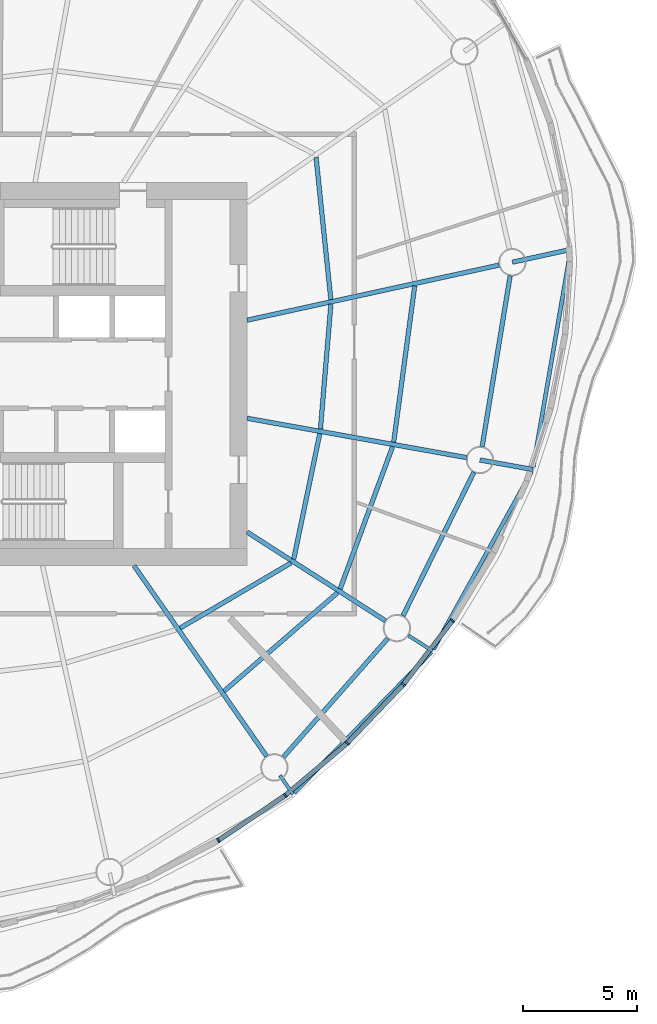
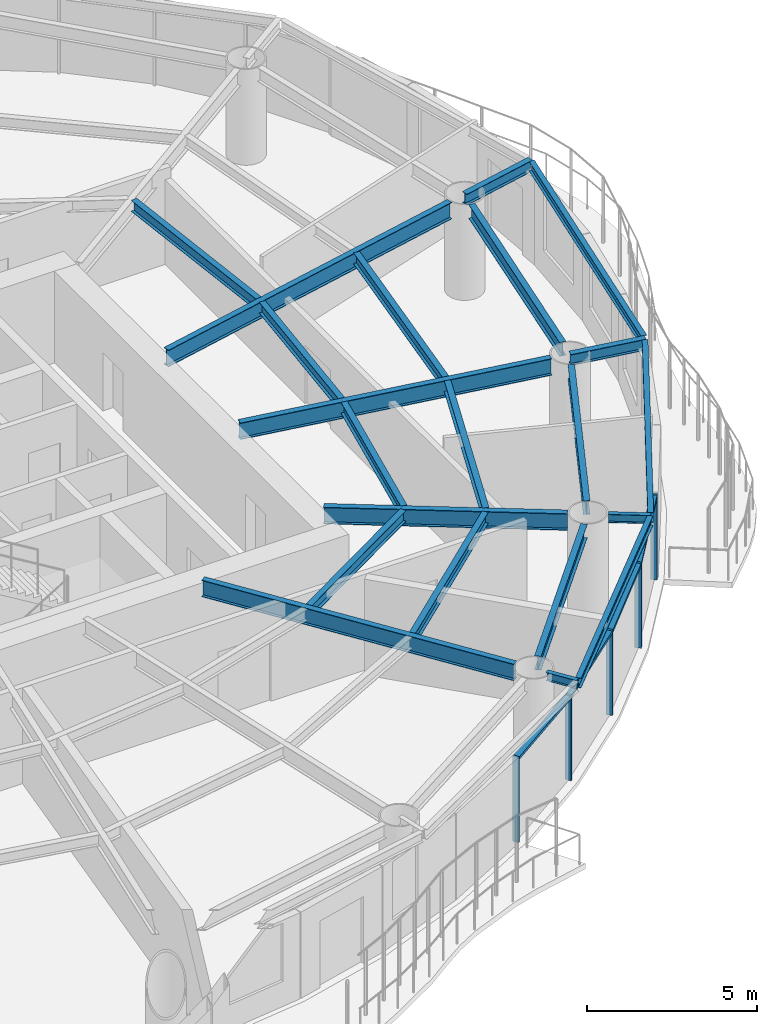
# One storey, part 4 of 14: 21 beams, 9 members, 4 elements without a shape of their own.
"""IFC4 building model written with IfcOpenShell, lengths in metres."""

from ifc_helpers import new_model, si_unit, direction, frame, origin, origin_2d, place, context, subcontext, project, spatial, rectangle, i_section, extrude, material, material_profile, profile_set, type_object, element, aggregate, save


model = new_model("IFC4")

# Units and contexts
model_context = context("Model", 3, precision=1e-05, world=origin(), true_north=direction((0.0, 1.0)))
body_context = subcontext(model_context, "Body", "Model", "MODEL_VIEW")
ifc_project = project(units=[si_unit("LENGTHUNIT", "METRE"), si_unit("AREAUNIT", "SQUARE_METRE"), si_unit("VOLUMEUNIT", "CUBIC_METRE"), si_unit("PLANEANGLEUNIT", "RADIAN"), si_unit("MASSUNIT", "GRAM", prefix="KILO")], contexts=[model_context])

# Site, building, storey
site_placement = place(None, origin())
site = spatial("IfcSite", under=ifc_project, at=site_placement, CompositionType="ELEMENT")
building_placement = place(site_placement, origin())
building = spatial("IfcBuilding", under=site, at=building_placement, Name="Vermilion Reach Broadcast Tower", CompositionType="ELEMENT")
storey_placement = place(building_placement, frame((0.0, 0.0, 206.5)))
storey = spatial("IfcBuildingStorey", under=building, at=storey_placement, Name="L50", CompositionType="ELEMENT", Elevation=206.5)

# Beams
ifc_material_1 = material(Name="Steel S355J2", Category="steel")
ifc_material_profile_1 = material_profile(ifc_material_1, i_section(OverallWidth=0.175048828125, OverallDepth=0.35009765625, WebThickness=0.007080078125, FlangeThickness=0.010986328125, at=origin_2d()), Name="S355J2 HN 350x175x7x11")
ifc_profile_set_1 = profile_set([ifc_material_profile_1], Name="Steel S355J2")
beam_type_1 = type_object("IfcBeamType", Name="EB4 HN 350x175x7x11", PredefinedType="BEAM", material=ifc_profile_set_1)
beam_1_placement = place(storey_placement, frame((6.86181640625, -18.353759765625, 3.27490234375), z_axis=(0.697871815237, 0.716222681502, 0.0), x_axis=(-0.716222681502, 0.697871815237, 0.0)))
element("IfcBeam", 1, at=beam_1_placement, inside=storey, type_object=beam_type_1, Name="Edge beam EB4-12", PredefinedType="BEAM", context=body_context, shape_type="SweptSolid", body=[
    extrude(i_section(OverallWidth=0.175048828125, OverallDepth=0.35009765625, WebThickness=0.007080078125, FlangeThickness=0.010986328125, at=origin_2d()), origin(), (0.0, 0.0, 1.0), 8.607666015625),
])
beam_2_placement = place(storey_placement, frame((12.95849609375, -12.068115234375, 3.27490234375), z_axis=(0.483728119844, 0.875218319091, 0.0), x_axis=(-0.875218319091, 0.483728119844, 0.0)))
element("IfcBeam", 2, at=beam_2_placement, inside=storey, type_object=beam_type_1, Name="Edge beam EB4-13", PredefinedType="BEAM", context=body_context, shape_type="SweptSolid", body=[
    extrude(i_section(OverallWidth=0.175048828125, OverallDepth=0.35009765625, WebThickness=0.007080078125, FlangeThickness=0.010986328125, at=origin_2d()), origin(), (0.0, 0.0, 1.0), 8.904052734375),
])
beam_3_placement = place(storey_placement, frame((17.333740234375, -4.084228515625, 3.27490234375), z_axis=(0.170285869917, 0.985394703916, 0.0), x_axis=(-0.985394703916, 0.170285869917, 0.0)))
element("IfcBeam", 3, at=beam_3_placement, inside=storey, type_object=beam_type_1, Name="Edge beam EB4-14", PredefinedType="BEAM", context=body_context, shape_type="SweptSolid", body=[
    extrude(i_section(OverallWidth=0.175048828125, OverallDepth=0.35009765625, WebThickness=0.007080078125, FlangeThickness=0.010986328125, at=origin_2d()), origin(), (0.0, 0.0, 1.0), 9.57861328125),
])
ifc_material_2 = material(Name="Steel S355J2", Category="steel")
ifc_material_profile_2 = material_profile(ifc_material_2, i_section(OverallWidth=0.199951171875, OverallDepth=0.60009765625, WebThickness=0.010986328125, FlangeThickness=0.01708984375, at=origin_2d()), Name="S355J2 HN 600x200x11x17")
ifc_profile_set_2 = profile_set([ifc_material_profile_2], Name="Steel S355J2")
beam_type_2 = type_object("IfcBeamType", Name="G4 HN 600x200x11x17", PredefinedType="BEAM", material=ifc_profile_set_2)
beam_4_placement = place(storey_placement, frame((-0.1552734375, -8.39990234375, 3.14990234375), z_axis=(0.571134149017, -0.8208567377, 0.0), x_axis=(0.8208567377, 0.571134149017, 0.0)))
element("IfcBeam", 4, at=beam_4_placement, inside=storey, type_object=beam_type_2, Name="Girder G4-12", PredefinedType="BEAM", context=body_context, shape_type="SweptSolid", body=[
    extrude(i_section(OverallWidth=0.199951171875, OverallDepth=0.60009765625, WebThickness=0.010986328125, FlangeThickness=0.01708984375, at=origin_2d()), origin(), (0.0, 0.0, 1.0), 10.16552734375),
])
beam_5_placement = place(storey_placement, frame((4.800048828125, -6.925537109375, 3.14990234375), z_axis=(0.841798504642, -0.539791883584, 0.0), x_axis=(0.539791883584, 0.841798504642, 0.0)))
element("IfcBeam", 5, at=beam_5_placement, inside=storey, type_object=beam_type_2, Name="Girder G4-13", PredefinedType="BEAM", context=body_context, shape_type="SweptSolid", body=[
    extrude(i_section(OverallWidth=0.199951171875, OverallDepth=0.60009765625, WebThickness=0.010986328125, FlangeThickness=0.01708984375, at=origin_2d()), origin(), (0.0, 0.0, 1.0), 7.1962890625),
])
beam_6_placement = place(storey_placement, frame((4.800048828125, -1.9375, 3.14990234375), z_axis=(0.984291153273, -0.176552897422, 0.0), x_axis=(0.176552897422, 0.984291153273, 0.0)))
element("IfcBeam", 6, at=beam_6_placement, inside=storey, type_object=beam_type_2, Name="Girder G4-14", PredefinedType="BEAM", context=body_context, shape_type="SweptSolid", body=[
    extrude(i_section(OverallWidth=0.199951171875, OverallDepth=0.60009765625, WebThickness=0.010986328125, FlangeThickness=0.01708984375, at=origin_2d()), origin(), (0.0, 0.0, 1.0), 9.765380859375),
])
beam_7_placement = place(storey_placement, frame((4.800048828125, 2.360595703125, 3.14990234375), z_axis=(0.976930175286, 0.213558967537, 0.0), x_axis=(-0.213558967537, 0.976930175286, 0.0)))
element("IfcBeam", 7, at=beam_7_placement, inside=storey, type_object=beam_type_2, Name="Girder G4-15", PredefinedType="BEAM", context=body_context, shape_type="SweptSolid", body=[
    extrude(i_section(OverallWidth=0.199951171875, OverallDepth=0.60009765625, WebThickness=0.010986328125, FlangeThickness=0.01708984375, at=origin_2d()), origin(), (0.0, 0.0, 1.0), 11.29833984375),
])
ifc_material_3 = material(Name="Steel S355J2", Category="steel")
ifc_material_profile_3 = material_profile(ifc_material_3, i_section(OverallWidth=0.199951171875, OverallDepth=0.39990234375, WebThickness=0.008056640625, FlangeThickness=0.012939453125, at=origin_2d()), Name="S355J2 HN 400x200x8x13")
ifc_profile_set_3 = profile_set([ifc_material_profile_3], Name="Steel S355J2")
beam_type_3 = type_object("IfcBeamType", Name="GC4 HN 400x200x8x13", PredefinedType="BEAM", material=ifc_profile_set_3)
beam_8_placement = place(storey_placement, frame((15.002685546875, -3.767578125, 3.25), z_axis=(0.984277687921, -0.17662795096, 0.0), x_axis=(0.17662795096, 0.984277687921, 0.0)))
element("IfcBeam", 8, at=beam_8_placement, inside=storey, type_object=beam_type_3, Name="Cantilever girder GC4-14", PredefinedType="BEAM", context=body_context, shape_type="SweptSolid", body=[
    extrude(i_section(OverallWidth=0.199951171875, OverallDepth=0.39990234375, WebThickness=0.008056640625, FlangeThickness=0.012939453125, at=origin_2d()), origin(), (0.0, 0.0, 1.0), 2.35107421875),
])
beam_9_placement = place(storey_placement, frame((16.423828125, 4.9013671875, 3.25), z_axis=(0.976926757416, 0.21357460206, 0.0), x_axis=(-0.21357460206, 0.976926757416, 0.0)))
element("IfcBeam", 9, at=beam_9_placement, inside=storey, type_object=beam_type_3, Name="Cantilever girder GC4-15", PredefinedType="BEAM", context=body_context, shape_type="SweptSolid", body=[
    extrude(i_section(OverallWidth=0.199951171875, OverallDepth=0.39990234375, WebThickness=0.008056640625, FlangeThickness=0.012939453125, at=origin_2d()), origin(), (0.0, 0.0, 1.0), 2.6201171875),
])
ifc_material_4 = material(Name="Steel S355J2", Category="steel")
ifc_material_profile_4 = material_profile(ifc_material_4, i_section(OverallWidth=0.14990234375, OverallDepth=0.300048828125, WebThickness=0.006591796875, FlangeThickness=0.009033203125, at=origin_2d()), Name="S355J2 HN 300x150x6.5x9")
ifc_profile_set_4 = profile_set([ifc_material_profile_4], Name="Steel S355J2")
beam_type_4 = type_object("IfcBeamType", Name="GS4 HN 300x150x6.5x9", PredefinedType="BEAM", material=ifc_profile_set_4)
beam_10_placement = place(storey_placement, frame((6.2373046875, -17.587646484375, 3.300048828125), z_axis=(0.571264751294, -0.820765852073, 0.0), x_axis=(0.820765852073, 0.571264751294, 0.0)))
element("IfcBeam", 10, at=beam_10_placement, inside=storey, type_object=beam_type_4, Name="Cantilever stub GS4-12", PredefinedType="BEAM", context=body_context, shape_type="SweptSolid", body=[
    extrude(i_section(OverallWidth=0.14990234375, OverallDepth=0.300048828125, WebThickness=0.006591796875, FlangeThickness=0.009033203125, at=origin_2d()), origin(), (0.0, 0.0, 1.0), 1.0),
])
beam_11_placement = place(storey_placement, frame((11.867919921875, -11.457763671875, 3.300048828125), z_axis=(0.841842805996, -0.539722789952, 0.0), x_axis=(0.539722789952, 0.841842805996, 0.0)))
element("IfcBeam", 11, at=beam_11_placement, inside=storey, type_object=beam_type_4, Name="Cantilever stub GS4-13", PredefinedType="BEAM", context=body_context, shape_type="SweptSolid", body=[
    extrude(i_section(OverallWidth=0.14990234375, OverallDepth=0.300048828125, WebThickness=0.006591796875, FlangeThickness=0.009033203125, at=origin_2d()), origin(), (0.0, 0.0, 1.0), 1.25244140625),
])
ifc_material_5 = material(Name="Steel S355J2", Category="steel")
ifc_material_profile_5 = material_profile(ifc_material_5, i_section(OverallWidth=0.199951171875, OverallDepth=0.5, WebThickness=0.010009765625, FlangeThickness=0.01611328125, at=origin_2d()), Name="S355J2 HN 500x200x10x16")
ifc_profile_set_5 = profile_set([ifc_material_profile_5], Name="Steel S355J2")
beam_type_5 = type_object("IfcBeamType", Name="RB4 HN 500x200x10x16", PredefinedType="BEAM", material=ifc_profile_set_5)
beam_12_placement = place(storey_placement, frame((6.3896484375, -16.786376953125, 3.199951171875), z_axis=(0.660565141761, 0.750768735024, 0.0), x_axis=(-0.750768735024, 0.660565141761, 0.0)))
element("IfcBeam", 12, at=beam_12_placement, inside=storey, type_object=beam_type_5, Name="Ring beam RB4-12", PredefinedType="BEAM", context=body_context, shape_type="SweptSolid", body=[
    extrude(i_section(OverallWidth=0.199951171875, OverallDepth=0.5, WebThickness=0.010009765625, FlangeThickness=0.01611328125, at=origin_2d()), origin(), (0.0, 0.0, 1.0), 6.9287109375),
])
beam_13_placement = place(storey_placement, frame((11.628662109375, -10.595947265625, 3.199951171875), z_axis=(0.442977497199, 0.896532730566, 0.0), x_axis=(-0.896532730566, 0.442977497199, 0.0)))
element("IfcBeam", 13, at=beam_13_placement, inside=storey, type_object=beam_type_5, Name="Ring beam RB4-13", PredefinedType="BEAM", context=body_context, shape_type="SweptSolid", body=[
    extrude(i_section(OverallWidth=0.199951171875, OverallDepth=0.5, WebThickness=0.010009765625, FlangeThickness=0.01611328125, at=origin_2d()), origin(), (0.0, 0.0, 1.0), 7.0166015625),
])
beam_14_placement = place(storey_placement, frame((15.099609375, -3.175537109375, 3.199951171875), z_axis=(0.161778110263, 0.986827159659, 0.0), x_axis=(-0.986827159659, 0.161778110263, 0.0)))
element("IfcBeam", 14, at=beam_14_placement, inside=storey, type_object=beam_type_5, Name="Ring beam RB4-14", PredefinedType="BEAM", context=body_context, shape_type="SweptSolid", body=[
    extrude(i_section(OverallWidth=0.199951171875, OverallDepth=0.5, WebThickness=0.010009765625, FlangeThickness=0.01611328125, at=origin_2d()), origin(), (0.0, 0.0, 1.0), 7.584716796875),
])
ifc_material_6 = material(Name="Steel S355J2", Category="steel")
ifc_material_profile_6 = material_profile(ifc_material_6, i_section(OverallWidth=0.199951171875, OverallDepth=0.39990234375, WebThickness=0.008056640625, FlangeThickness=0.012939453125, at=origin_2d()), Name="S355J2 HN 400x200x8x13")
ifc_profile_set_6 = profile_set([ifc_material_profile_6], Name="Steel S355J2")
beam_type_6 = type_object("IfcBeamType", Name="SB4 HN 400x200x8x13", PredefinedType="BEAM", material=ifc_profile_set_6)
beam_15_placement = place(storey_placement, frame((1.866455078125, -11.130615234375, 3.25), z_axis=(0.862172572268, 0.506614701356, 0.0), x_axis=(-0.506614701356, 0.862172572268, 0.0)))
element("IfcBeam", 15, at=beam_15_placement, inside=storey, type_object=beam_type_6, Name="Secondary beam SB4-12-1", PredefinedType="BEAM", context=body_context, shape_type="SweptSolid", body=[
    extrude(i_section(OverallWidth=0.199951171875, OverallDepth=0.39990234375, WebThickness=0.008056640625, FlangeThickness=0.012939453125, at=origin_2d()), origin(), (0.0, 0.0, 1.0), 5.632568359375),
])
beam_16_placement = place(storey_placement, frame((3.791259765625, -13.89697265625, 3.25), z_axis=(0.755129308567, 0.655575874589, 0.0), x_axis=(-0.655575874589, 0.755129308567, 0.0)))
element("IfcBeam", 16, at=beam_16_placement, inside=storey, type_object=beam_type_6, Name="Secondary beam SB4-12-2", PredefinedType="BEAM", context=body_context, shape_type="SweptSolid", body=[
    extrude(i_section(OverallWidth=0.199951171875, OverallDepth=0.39990234375, WebThickness=0.008056640625, FlangeThickness=0.012939453125, at=origin_2d()), origin(), (0.0, 0.0, 1.0), 6.57958984375),
])
beam_17_placement = place(storey_placement, frame((6.841064453125, -8.115478515625, 3.25), z_axis=(0.20320860258, 0.979135467562, 0.0), x_axis=(-0.979135467562, 0.20320860258, 0.0)))
element("IfcBeam", 17, at=beam_17_placement, inside=storey, type_object=beam_type_6, Name="Secondary beam SB4-13-1", PredefinedType="BEAM", context=body_context, shape_type="SweptSolid", body=[
    extrude(i_section(OverallWidth=0.199951171875, OverallDepth=0.39990234375, WebThickness=0.008056640625, FlangeThickness=0.012939453125, at=origin_2d()), origin(), (0.0, 0.0, 1.0), 5.622802734375),
])
beam_18_placement = place(storey_placement, frame((8.8740234375, -9.419189453125, 3.25), z_axis=(0.345833008621, 0.938296078084, 0.0), x_axis=(-0.938296078084, 0.345833008621, 0.0)))
element("IfcBeam", 18, at=beam_18_placement, inside=storey, type_object=beam_type_6, Name="Secondary beam SB4-13-2", PredefinedType="BEAM", context=body_context, shape_type="SweptSolid", body=[
    extrude(i_section(OverallWidth=0.199951171875, OverallDepth=0.39990234375, WebThickness=0.008056640625, FlangeThickness=0.012939453125, at=origin_2d()), origin(), (0.0, 0.0, 1.0), 6.647216796875),
])
beam_19_placement = place(storey_placement, frame((8.012451171875, -2.412109375, 3.25), z_axis=(0.08339866655, 0.996516262997, 0.0), x_axis=(-0.996516262997, 0.08339866655, 0.0)))
element("IfcBeam", 19, at=beam_19_placement, inside=storey, type_object=beam_type_6, Name="Secondary beam SB4-14-1", PredefinedType="BEAM", context=body_context, shape_type="SweptSolid", body=[
    extrude(i_section(OverallWidth=0.199951171875, OverallDepth=0.39990234375, WebThickness=0.008056640625, FlangeThickness=0.012939453125, at=origin_2d()), origin(), (0.0, 0.0, 1.0), 5.49169921875),
])
beam_20_placement = place(storey_placement, frame((11.221435546875, -2.98779296875, 3.25), z_axis=(0.133486718782, 0.991050602093, 0.0), x_axis=(-0.991050602093, 0.133486718782, 0.0)))
element("IfcBeam", 20, at=beam_20_placement, inside=storey, type_object=beam_type_6, Name="Secondary beam SB4-14-2", PredefinedType="BEAM", context=body_context, shape_type="SweptSolid", body=[
    extrude(i_section(OverallWidth=0.199951171875, OverallDepth=0.39990234375, WebThickness=0.008056640625, FlangeThickness=0.012939453125, at=origin_2d()), origin(), (0.0, 0.0, 1.0), 6.913330078125),
])
beam_21_placement = place(storey_placement, frame((8.46875, 3.264892578125, 3.25), z_axis=(-0.103532173355, 0.994626105167, 0.0), x_axis=(-0.994626105167, -0.103532173355, 0.0)))
element("IfcBeam", 21, at=beam_21_placement, inside=storey, type_object=beam_type_6, Name="Secondary beam SB4-15-1", PredefinedType="BEAM", context=body_context, shape_type="SweptSolid", body=[
    extrude(i_section(OverallWidth=0.199951171875, OverallDepth=0.39990234375, WebThickness=0.008056640625, FlangeThickness=0.012939453125, at=origin_2d()), origin(), (0.0, 0.0, 1.0), 6.26318359375),
])

# Curtain wall, member
ifc_material_7 = material(Name="Low-e laminated clear glass in aluminium frame", Category="aluminium")
curtain_wall_type = type_object("IfcCurtainWallType", Name="Slot curtain wall", PredefinedType="NOTDEFINED", material=ifc_material_7)
placement = place(storey_placement, origin())
curtain_wall_1 = element("IfcCurtainWall", 22, at=placement, inside=storey, type_object=curtain_wall_type, Name="Slot curtain wall L50 34", PredefinedType="NOTDEFINED")
ifc_material_8 = material(Name="Anodised aluminium", Category="aluminium")
ifc_material_profile_7 = material_profile(ifc_material_8, rectangle(XDim=0.199951171875, YDim=0.080078125, at=origin_2d()), Name="Slot mullion 80 x 200")
ifc_profile_set_7 = profile_set([ifc_material_profile_7], Name="Anodised aluminium")
member_type_1 = type_object("IfcMemberType", Name="Slot mullion 80 x 200", PredefinedType="MULLION", material=ifc_profile_set_7)
member_1_placement = place(storey_placement, frame((3.53759765625, -20.4375, 0.0), z_axis=(0.0, 0.0, 1.0), x_axis=(-0.512027960337, 0.858968781641, 0.0)))
member_1 = element("IfcMember", 23, at=member_1_placement, type_object=member_type_1, Name="Slot mullion L50 34", PredefinedType="MULLION", context=body_context, shape_type="SweptSolid", body=[
    extrude(rectangle(XDim=0.199951171875, YDim=0.080078125, at=origin_2d()), origin(), (0.0, 0.0, 1.0), 3.050048828125),
])

curtain_wall_2 = element("IfcCurtainWall", 24, at=placement, inside=storey, type_object=curtain_wall_type, Name="Slot curtain wall L50 35", PredefinedType="NOTDEFINED")
member_2_placement = place(storey_placement, frame((6.4697265625, -18.464111328125, 0.0), z_axis=(0.0, 0.0, 1.0), x_axis=(-0.602289765315, 0.798277544841, 0.0)))
member_2 = element("IfcMember", 25, at=member_2_placement, type_object=member_type_1, Name="Slot mullion L50 35", PredefinedType="MULLION", context=body_context, shape_type="SweptSolid", body=[
    extrude(rectangle(XDim=0.199951171875, YDim=0.080078125, at=origin_2d()), origin(), (0.0, 0.0, 1.0), 3.050048828125),
])

curtain_wall_3 = element("IfcCurtainWall", 26, at=placement, inside=storey, type_object=curtain_wall_type, Name="Slot curtain wall L50 36", PredefinedType="NOTDEFINED")
member_3_placement = place(storey_placement, frame((9.187744140625, -16.17333984375, 0.0), z_axis=(0.0, 0.0, 1.0), x_axis=(-0.684547151019, 0.728968585079, 0.0)))
member_3 = element("IfcMember", 27, at=member_3_placement, type_object=member_type_1, Name="Slot mullion L50 36", PredefinedType="MULLION", context=body_context, shape_type="SweptSolid", body=[
    extrude(rectangle(XDim=0.199951171875, YDim=0.080078125, at=origin_2d()), origin(), (0.0, 0.0, 1.0), 3.050048828125),
])

# Curtain wall, members
curtain_wall_4 = element("IfcCurtainWall", 28, at=placement, inside=storey, type_object=curtain_wall_type, Name="Slot curtain wall L50 37", PredefinedType="NOTDEFINED")
member_4_placement = place(storey_placement, frame((11.644775390625, -13.6044921875, 0.0), z_axis=(0.0, 0.0, 1.0), x_axis=(-0.758884239286, 0.651225545693, 0.0)))
member_4 = element("IfcMember", 29, at=member_4_placement, type_object=member_type_1, Name="Slot mullion L50 37", PredefinedType="MULLION", context=body_context, shape_type="SweptSolid", body=[
    extrude(rectangle(XDim=0.199951171875, YDim=0.080078125, at=origin_2d()), origin(), (0.0, 0.0, 1.0), 3.050048828125),
])
member_5_placement = place(storey_placement, frame((13.79833984375, -10.802001953125, 0.0), z_axis=(0.0, 0.0, 1.0), x_axis=(-0.825123274569, 0.564952725248, 0.0)))
member_5 = element("IfcMember", 30, at=member_5_placement, type_object=member_type_1, Name="Slot mullion L50 38", PredefinedType="MULLION", context=body_context, shape_type="SweptSolid", body=[
    extrude(rectangle(XDim=0.199951171875, YDim=0.080078125, at=origin_2d()), origin(), (0.0, 0.0, 1.0), 3.050048828125),
])

# Member
ifc_material_9 = material(Name="Anodised aluminium", Category="aluminium")
ifc_material_profile_8 = material_profile(ifc_material_9, rectangle(XDim=0.199951171875, YDim=0.10009765625, at=origin_2d()), Name="Slot transom 200 x 100")
ifc_profile_set_8 = profile_set([ifc_material_profile_8], Name="Anodised aluminium")
member_type_2 = type_object("IfcMemberType", Name="Slot transom 200 x 100", PredefinedType="USERDEFINED", material=ifc_profile_set_8)
member_6_placement = place(storey_placement, frame((3.57080078125, -20.415283203125, 3.0), z_axis=(0.829606635119, 0.558348306137, 0.0), x_axis=(-0.558348306137, 0.829606635119, 0.0)))
member_6 = element("IfcMember", 31, at=member_6_placement, type_object=member_type_2, Name="Slot transom L50 34.1", ObjectType="TRANSOM", PredefinedType="USERDEFINED", context=body_context, shape_type="SweptSolid", body=[
    extrude(rectangle(XDim=0.199951171875, YDim=0.10009765625, at=origin_2d()), origin(), (0.0, 0.0, 1.0), 3.454345703125),
])

aggregate(curtain_wall_1, [member_1, member_6])

member_7_placement = place(storey_placement, frame((6.500244140625, -18.438232421875, 3.0), z_axis=(0.764626873783, 0.644473229769, 0.0), x_axis=(-0.644473229769, 0.764626873783, 0.0)))
member_7 = element("IfcMember", 32, at=member_7_placement, type_object=member_type_2, Name="Slot transom L50 35.1", ObjectType="TRANSOM", PredefinedType="USERDEFINED", context=body_context, shape_type="SweptSolid", body=[
    extrude(rectangle(XDim=0.199951171875, YDim=0.10009765625, at=origin_2d()), origin(), (0.0, 0.0, 1.0), 3.474609375),
])

aggregate(curtain_wall_2, [member_2, member_7])

member_8_placement = place(storey_placement, frame((9.21533203125, -16.144287109375, 3.0), z_axis=(0.691229027011, 0.722635753487, 0.0), x_axis=(-0.722635753487, 0.691229027011, 0.0)))
member_8 = element("IfcMember", 33, at=member_8_placement, type_object=member_type_2, Name="Slot transom L50 36.1", ObjectType="TRANSOM", PredefinedType="USERDEFINED", context=body_context, shape_type="SweptSolid", body=[
    extrude(rectangle(XDim=0.199951171875, YDim=0.10009765625, at=origin_2d()), origin(), (0.0, 0.0, 1.0), 3.474853515625),
])

aggregate(curtain_wall_3, [member_3, member_8])

member_9_placement = place(storey_placement, frame((11.669189453125, -13.57275390625, 3.0), z_axis=(0.609311053113, 0.792931296239, 0.0), x_axis=(-0.792931296239, 0.609311053113, 0.0)))
member_9 = element("IfcMember", 34, at=member_9_placement, type_object=member_type_2, Name="Slot transom L50 37.1", ObjectType="TRANSOM", PredefinedType="USERDEFINED", context=body_context, shape_type="SweptSolid", body=[
    extrude(rectangle(XDim=0.199951171875, YDim=0.10009765625, at=origin_2d()), origin(), (0.0, 0.0, 1.0), 3.454345703125),
])

aggregate(curtain_wall_4, [member_4, member_5, member_9])

save(model, "model.ifc")
